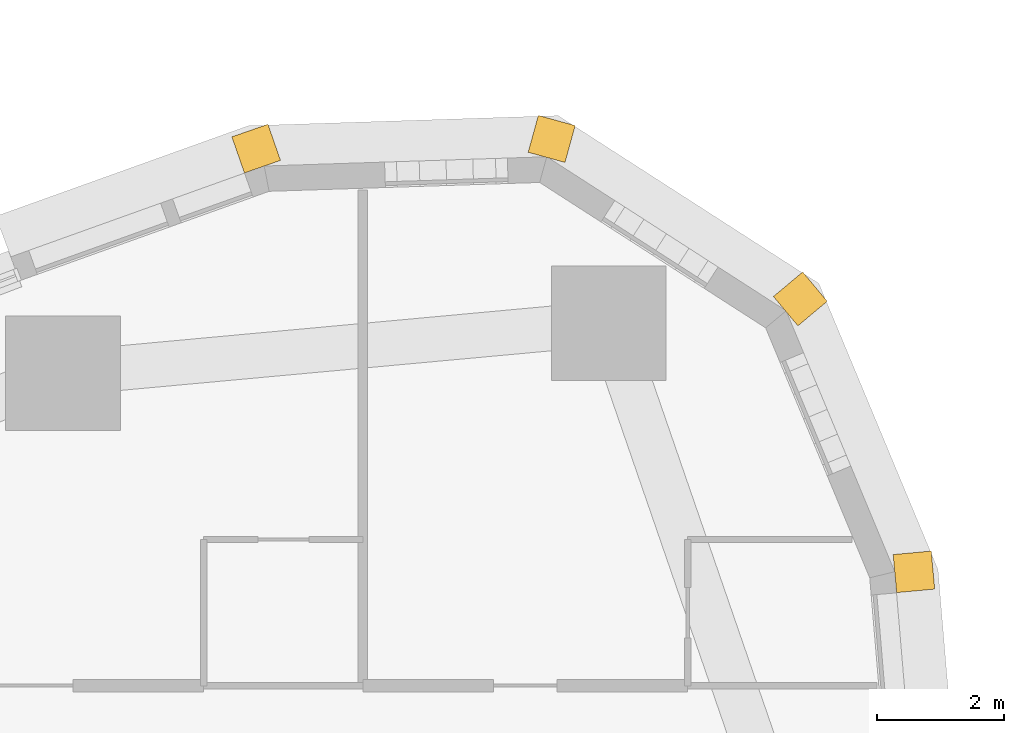
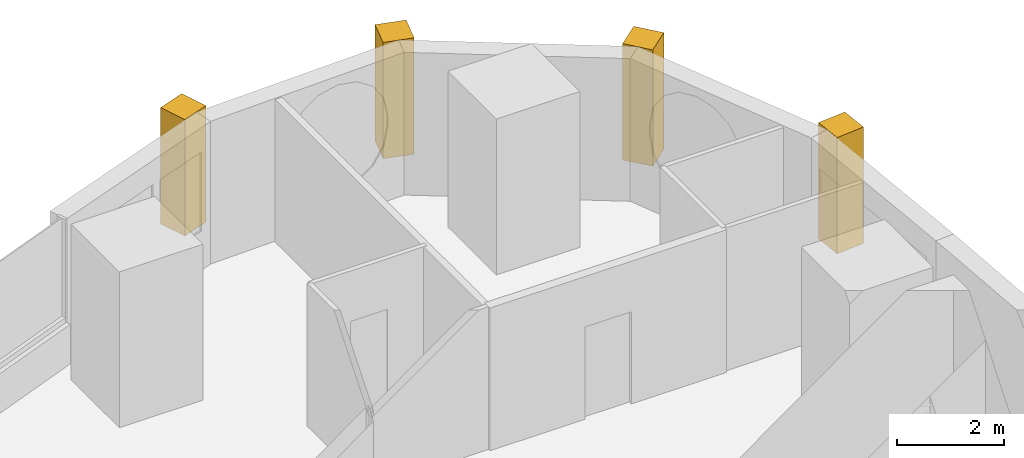
# One storey, part 19 of 19: 4 coverings.
"""IFC4 building model written with IfcOpenShell, lengths in metres."""

import ifcopenshell
import ifcopenshell.guid

model = None  # the IFC model being written
_history = None  # IfcOwnerHistory: only IFC2X3 demands one
_inside = {}  # id of a spatial element -> (the spatial element, [elements in it])
_under = {}  # id of a project, library or spatial element -> (it, [spatial elements below it])
_declared = {}  # id of a project -> (the project, [libraries it declares])
_typed = {}  # id of a type object -> (the type object, [elements of that type])
_made_of = {}  # id of a material, layer set ... -> (it, [elements and type objects made of it])


def new_model(schema):
    """Start an empty IFC model of exactly this schema.

    Asked for "IFC4X3", IfcOpenShell would pick the latest addendum, in which some entities
    have other attributes; the version numbers below select the first issue.
    IFC2X3 requires an IfcOwnerHistory on every rooted entity: one is made here for all.
    """
    global model, _history
    if schema == "IFC4X3":
        model = ifcopenshell.file(schema_version=(4, 3, 0, 0))
    else:
        model = ifcopenshell.file(schema=schema)
    _inside.clear()
    _under.clear()
    _declared.clear()
    _typed.clear()
    _made_of.clear()
    _history = None
    if model.schema == "IFC2X3":
        org = make("IfcOrganization", Name="unknown")
        user = make(
            "IfcPersonAndOrganization",
            ThePerson=make("IfcPerson", FamilyName="unknown"),
            TheOrganization=org,
        )
        app = make(
            "IfcApplication",
            ApplicationDeveloper=org,
            Version="unknown",
            ApplicationFullName="unknown",
            ApplicationIdentifier="unknown",
        )
        _history = make(
            "IfcOwnerHistory",
            OwningUser=user,
            OwningApplication=app,
            ChangeAction="ADDED",
            CreationDate=0,
        )
    return model


def make(cls, **values):
    """One entity of the class cls with the attributes given. An attribute that is None is left unset."""
    return model.create_entity(
        cls, **{name: value for name, value in values.items() if value is not None}
    )


def rooted(cls, **values):
    """An entity with a GlobalId (a new one), such as an element, a storey or a relation."""
    return make(cls, GlobalId=ifcopenshell.guid.new(), OwnerHistory=_history, **values)


def si_unit(unit_type, name, prefix=None):
    """IfcSIUnit, for example si_unit("LENGTHUNIT", "METRE", prefix="MILLI")."""
    return make("IfcSIUnit", UnitType=unit_type, Prefix=prefix, Name=name)


def assignment(units):
    """IfcUnitAssignment: the units of a project."""
    return None if units is None else make("IfcUnitAssignment", Units=units)


def point(xyz):
    """IfcCartesianPoint."""
    return None if xyz is None else make("IfcCartesianPoint", Coordinates=xyz)


def direction(xyz):
    """IfcDirection."""
    return None if xyz is None else make("IfcDirection", DirectionRatios=xyz)


def frame(location, z_axis=None, x_axis=None):
    """IfcAxis2Placement3D, a coordinate frame: its origin and axes. An axis left out is left unset."""
    return make(
        "IfcAxis2Placement3D",
        Location=point(location),
        Axis=direction(z_axis),
        RefDirection=direction(x_axis),
    )


def frame_2d(location, x_axis=None):
    """IfcAxis2Placement2D, a coordinate frame in the plane: its origin and x axis."""
    return make(
        "IfcAxis2Placement2D", Location=point(location), RefDirection=direction(x_axis)
    )


def origin():
    """The frame at (0, 0, 0) with its axes left unset."""
    return frame((0.0, 0.0, 0.0))


def place(relative_to, where):
    """IfcLocalPlacement: puts the frame where relative to a parent placement (None: the world)."""
    return make(
        "IfcLocalPlacement", PlacementRelTo=relative_to, RelativePlacement=where
    )


def context(
    kind, dimensions, precision=None, world=None, true_north=None, identifier=None
):
    """IfcGeometricRepresentationContext, for example the 3D "Model" context."""
    return make(
        "IfcGeometricRepresentationContext",
        ContextIdentifier=identifier,
        ContextType=kind,
        CoordinateSpaceDimension=dimensions,
        Precision=precision,
        WorldCoordinateSystem=world,
        TrueNorth=true_north,
    )


def subcontext(parent, identifier, kind, view, scale=None):
    """IfcGeometricRepresentationSubContext, for example "Body" below "Model"."""
    return make(
        "IfcGeometricRepresentationSubContext",
        ContextIdentifier=identifier,
        ContextType=kind,
        ParentContext=parent,
        TargetScale=scale,
        TargetView=view,
    )


def project(units=None, contexts=None):
    """IfcProject with its units and contexts."""
    return rooted(
        "IfcProject",
        Name="project",
        RepresentationContexts=contexts,
        UnitsInContext=assignment(units),
    )


def spatial(cls, under=None, at=None, **own):
    """A site, building, storey or space (cls), placed at a placement, below another one or the project."""
    s = rooted(cls, ObjectPlacement=at, **own)
    if under is not None:
        _under.setdefault(under.id(), (under, []))[1].append(s)
    return s


def profile(cls, at=None, kind="AREA", **sizes):
    """A parametric profile (cls). Its sizes go by their IFC names, for example OverallWidth=200.0."""
    return make(cls, ProfileType=kind, Position=at, **sizes)


def rectangle(**sizes):
    """IfcRectangleProfileDef."""
    return profile("IfcRectangleProfileDef", **sizes)


def extrude(swept, where, along, depth):
    """IfcExtrudedAreaSolid: the profile swept, set in the frame where, extruded along a direction by depth."""
    return make(
        "IfcExtrudedAreaSolid",
        SweptArea=swept,
        Position=where,
        ExtrudedDirection=direction(along),
        Depth=depth,
    )


def shape(context_of_items, identifier, shape_type, items):
    """IfcShapeRepresentation: the items that make up one representation, for example the "Body"."""
    return make(
        "IfcShapeRepresentation",
        ContextOfItems=context_of_items,
        RepresentationIdentifier=identifier,
        RepresentationType=shape_type,
        Items=items,
    )


def material(Name=None, Category=None):
    """IfcMaterial."""
    return make("IfcMaterial", Name=Name, Category=Category)


def layer(
    of_material, thickness, ventilated=None, Name=None, Category=None, Priority=None
):
    """IfcMaterialLayer: one layer of a wall or slab, of a material (None: an air gap)."""
    return make(
        "IfcMaterialLayer",
        Material=of_material,
        LayerThickness=thickness,
        IsVentilated=ventilated,
        Name=Name,
        Category=Category,
        Priority=Priority,
    )


def layer_set(layers, Name=None):
    """IfcMaterialLayerSet."""
    return make("IfcMaterialLayerSet", MaterialLayers=layers, LayerSetName=Name)


def made_of(thing, what):
    """Note that an element or type object is made of a material, layer set ...; save() writes the relation."""
    if what is not None:
        _made_of.setdefault(what.id(), (what, []))[1].append(thing)
    return thing


def type_object(cls, material=None, **own):
    """A type object (cls), such as IfcWallType, which elements share."""
    return made_of(rooted(cls, **own), material)


def element(
    cls,
    number,
    at=None,
    inside=None,
    cuts=None,
    type_object=None,
    material=None,
    context=None,
    identifier="Body",
    shape_type=None,
    held_by="IfcProductDefinitionShape",
    body=None,
    shapes=None,
    **own,
):
    """One element of the class cls, such as IfcWall. Its Tag is "e" and its number.

    at: its placement. inside: the storey or other place that contains it. cuts: it is an
    opening in that element (IfcRelVoidsElement). A single representation is given by context,
    identifier, shape_type and body (its items); several are given by shapes. held_by: the class
    of the entity that holds the representations. save() writes the other relations.
    """
    e = rooted(cls, Tag="e%d" % number, ObjectPlacement=at, **own)
    if body is not None:
        shapes = [shape(context, identifier, shape_type, body)]
    if shapes is not None:
        e.Representation = make(held_by, Representations=shapes)
    if inside is not None:
        _inside.setdefault(inside.id(), (inside, []))[1].append(e)
    if cuts is not None:
        rooted(
            "IfcRelVoidsElement", RelatingBuildingElement=cuts, RelatedOpeningElement=e
        )
    if type_object is not None:
        _typed.setdefault(type_object.id(), (type_object, []))[1].append(e)
    return made_of(e, material)


def aggregate(whole, parts):
    """IfcRelAggregates: a whole, such as a stair, and the parts it consists of."""
    return rooted("IfcRelAggregates", RelatingObject=whole, RelatedObjects=parts)


def save(model, path):
    """Write the relations noted so far, then the file.

    IfcRelAggregates (storeys below a building ...), IfcRelContainedInSpatialStructure (elements
    in a storey), IfcRelDefinesByType, IfcRelAssociatesMaterial and IfcRelDeclares: one each for
    every whole, place, type object, material and project.
    """
    for whole, parts in _under.values():
        aggregate(whole, parts)
    for where, things in _inside.values():
        rooted(
            "IfcRelContainedInSpatialStructure",
            RelatedElements=things,
            RelatingStructure=where,
        )
    for kind, things in _typed.values():
        rooted("IfcRelDefinesByType", RelatedObjects=things, RelatingType=kind)
    for what, things in _made_of.values():
        rooted("IfcRelAssociatesMaterial", RelatedObjects=things, RelatingMaterial=what)
    for by, libraries in _declared.values():
        rooted("IfcRelDeclares", RelatingContext=by, RelatedDefinitions=libraries)
    model.write(path)


model = new_model("IFC4")

# Units and contexts
model_context = context("Model", 3, precision=1e-05, world=origin(), true_north=direction((0.0, 1.0)))
body_context = subcontext(model_context, "Body", "Model", "MODEL_VIEW")
ifc_project = project(units=[si_unit("LENGTHUNIT", "METRE"), si_unit("AREAUNIT", "SQUARE_METRE"), si_unit("VOLUMEUNIT", "CUBIC_METRE"), si_unit("PLANEANGLEUNIT", "RADIAN"), si_unit("MASSUNIT", "GRAM", prefix="KILO")], contexts=[model_context])

# Site, building, storey
site_placement = place(None, origin())
site = spatial("IfcSite", under=ifc_project, at=site_placement, CompositionType="ELEMENT")
building_placement = place(site_placement, origin())
building = spatial("IfcBuilding", under=site, at=building_placement, Name="Ostrand Prow Hotel Tower", CompositionType="ELEMENT")
storey_placement = place(building_placement, frame((0.0, 0.0, 39.60009765625)))
storey = spatial("IfcBuildingStorey", under=building, at=storey_placement, Name="L07", CompositionType="ELEMENT", Elevation=39.60009765625)

# Coverings
ifc_material = material(Name="Limestone cladding", Category="masonry")
ifc_layer = layer(ifc_material, 0.60009765625)
ifc_layer_set = layer_set([ifc_layer], Name="Limestone cladding")
covering_type = type_object("IfcCoveringType", Name="Precast stone prow rib 600x600", PredefinedType="CLADDING", material=ifc_layer_set)
for number, where, z_axis, x_axis, name in (
    (1, (65.4580078125, 22.564453125, 0.599853515625), (0.0, 0.0, 1.0), (0.995724747837, 0.09237005221, 0.0), "Stone corner rib 16a"),
    (2, (63.74169921875, 26.6865234375, 0.599853515625), (0.0, 0.0, 1.0), (0.766985844654, 0.641664019639, 0.0), "Stone corner rib 17a"),
    (3, (59.98681640625, 29.1025390625, 0.599853515625), (0.0, 0.0, 1.0), (0.266111535611, 0.963942244439, 0.0), "Stone corner rib 18a"),
    (4, (55.524169921875, 28.956298828125, 0.599853515625), (0.0, 0.0, 1.0), (-0.328773122904, 0.94440893349, 0.0), "Stone corner rib 18b"),
):
    element("IfcCovering", number, at=place(storey_placement, frame(where, z_axis=z_axis, x_axis=x_axis)), inside=storey, type_object=covering_type, Name=name, PredefinedType="CLADDING", context=body_context, shape_type="SweptSolid", body=[
        extrude(rectangle(XDim=0.60009765625, YDim=0.60009765625, at=frame_2d((0.300048828125, 0.0))), origin(), (0.0, 0.0, 1.0), 2.650146484375),
    ])

save(model, "model.ifc")
